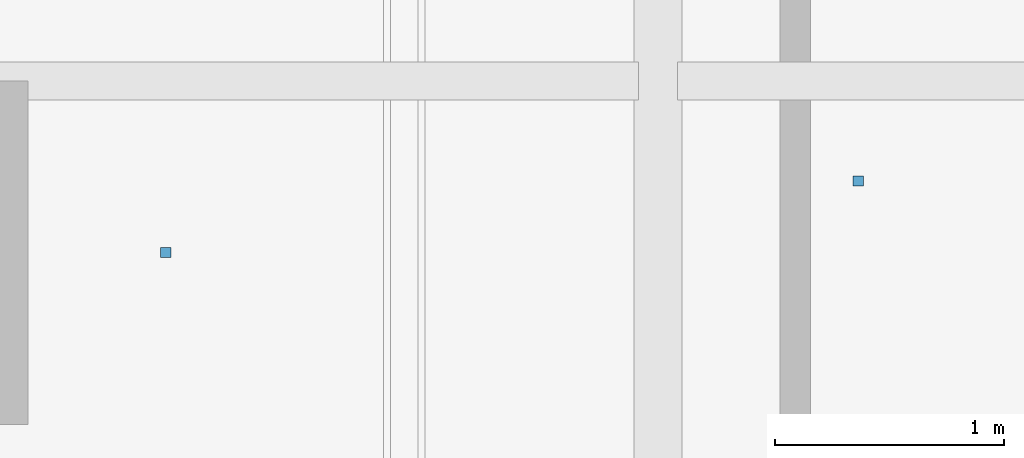
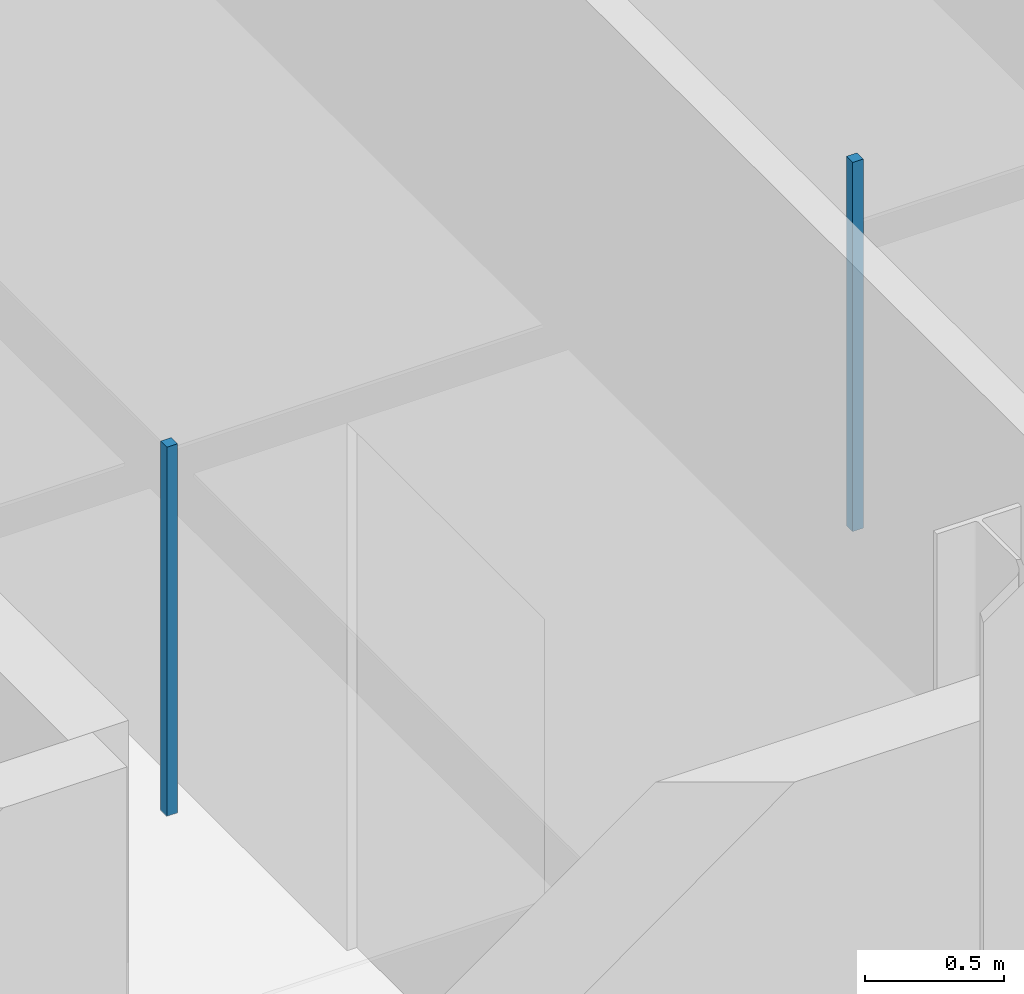
# One storey, part 127 of 180: 2 discrete accessories.
"""IFC4 building model written with IfcOpenShell, lengths in metres."""

from ifc_helpers import new_model, si_unit, direction, frame, origin, origin_2d, place, context, subcontext, project, spatial, rectangle, extrude, material, type_object, element, save


model = new_model("IFC4")

# Units and contexts
model_context = context("Model", 3, precision=1e-05, world=origin(), true_north=direction((0.0, 1.0)))
body_context = subcontext(model_context, "Body", "Model", "MODEL_VIEW")
ifc_project = project(units=[si_unit("LENGTHUNIT", "METRE"), si_unit("AREAUNIT", "SQUARE_METRE"), si_unit("VOLUMEUNIT", "CUBIC_METRE"), si_unit("PLANEANGLEUNIT", "RADIAN"), si_unit("MASSUNIT", "GRAM", prefix="KILO"), si_unit("THERMODYNAMICTEMPERATUREUNIT", "KELVIN"), si_unit("POWERUNIT", "WATT")], contexts=[model_context])

# Site, building, storey
site_placement = place(None, origin())
site = spatial("IfcSite", under=ifc_project, at=site_placement, CompositionType="ELEMENT")
building_placement = place(site_placement, origin())
building = spatial("IfcBuilding", under=site, at=building_placement, Name="Tallowbark Science Centre", CompositionType="ELEMENT")
storey_placement = place(building_placement, origin())
storey = spatial("IfcBuildingStorey", under=building, at=storey_placement, Name="L00", CompositionType="ELEMENT", Elevation=0.0)

# Discrete accessories
ifc_material = material(Name="Galvanised Steel Grade C350L0 (350 MPa)", Category="steel")
discrete_accessory_type = type_object("IfcDiscreteAccessoryType", Name="ACC-CLG-HNG", PredefinedType="BRACKET", material=ifc_material)
for number, where, z_axis, x_axis, name in (
    (1, (66.851318359375, 74.25, 3.60498046875), (0.0, 0.0, 1.0), (1.0, 0.0, 0.0), "Ceiling Hanger Bracket L00-313"),
    (2, (69.875, 74.5625, 3.60498046875), (0.0, 0.0, 1.0), (1.0, 0.0, 0.0), "Ceiling Hanger Bracket L00-321"),
):
    element("IfcDiscreteAccessory", number, at=place(storey_placement, frame(where, z_axis=z_axis, x_axis=x_axis)), inside=storey, type_object=discrete_accessory_type, Name=name, PredefinedType="BRACKET", context=body_context, shape_type="SweptSolid", body=[
        extrude(rectangle(XDim=0.044921875, YDim=0.044921875, at=origin_2d()), origin(), (0.0, 0.0, 1.0), 1.617919921875),
    ])

save(model, "model.ifc")
